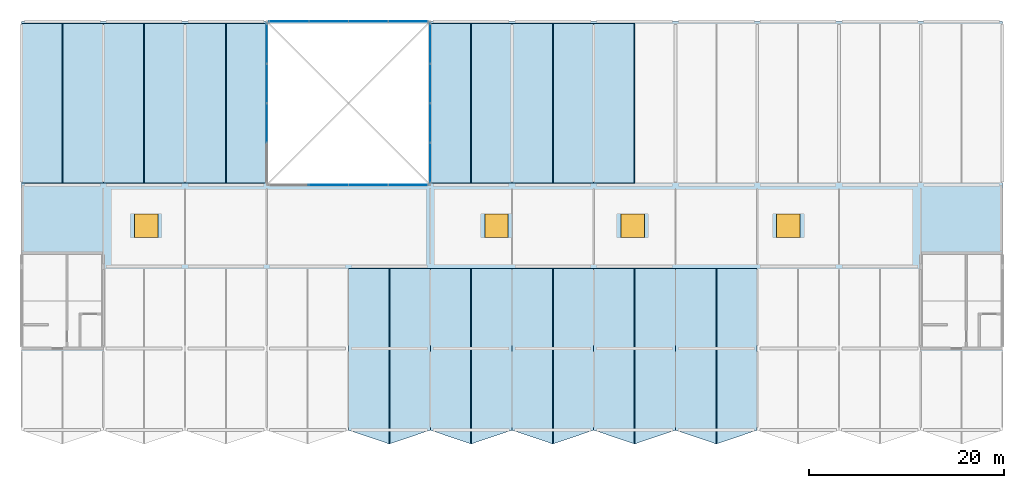
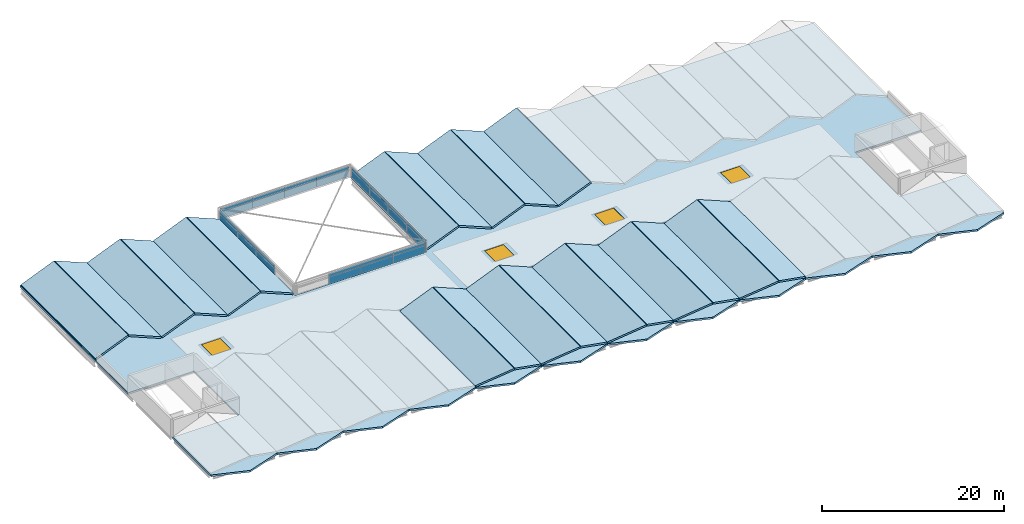
# One storey, part 10 of 14: 28 plates, 22 slabs, 4 windows, 4 openings, 4 elements without a shape of their own.
"""IFC4 building model written with IfcOpenShell, lengths in metres."""

from ifc_helpers import new_model, si_unit, direction, frame, frame_2d, origin, origin_2d, place, context, subcontext, project, spatial, polyline, rectangle, outline, extrude, material, layer, layer_set, type_object, element, fill, aggregate, save


model = new_model("IFC4")

# Units and contexts
model_context = context("Model", 3, precision=1e-05, world=origin(), true_north=direction((0.0, 1.0)))
body_context = subcontext(model_context, "Body", "Model", "MODEL_VIEW")
ifc_project = project(units=[si_unit("LENGTHUNIT", "METRE"), si_unit("AREAUNIT", "SQUARE_METRE"), si_unit("VOLUMEUNIT", "CUBIC_METRE"), si_unit("PLANEANGLEUNIT", "RADIAN"), si_unit("MASSUNIT", "GRAM", prefix="KILO")], contexts=[model_context])

# Site, building, storey
site_placement = place(None, origin())
site = spatial("IfcSite", under=ifc_project, at=site_placement, CompositionType="ELEMENT")
building_placement = place(site_placement, origin())
building = spatial("IfcBuilding", under=site, at=building_placement, Name="Qawsi Khor Wholesale Market", CompositionType="ELEMENT")
storey_placement = place(building_placement, frame((0.0, 0.0, 20.699951171875)))
storey = spatial("IfcBuildingStorey", under=building, at=storey_placement, Name="RF", CompositionType="ELEMENT", Elevation=20.699951171875)

# Slab, openings, windows
ifc_material_1 = material(Name="Concrete C40/50", Category="concrete")
ifc_layer_1 = layer(ifc_material_1, 0.239990234375, Name="Concrete C40/50")
ifc_layer_set_1 = layer_set([ifc_layer_1], Name="Concrete C40/50")
slab_type_1 = type_object("IfcSlabType", Name="Flat Concrete Roof Slab 240 C40/50", PredefinedType="ROOF", material=ifc_layer_set_1)
slab_1_placement = place(storey_placement, frame((0.0, 0.0, -0.239990234375)))
slab_1 = element("IfcSlab", 1, at=slab_1_placement, inside=storey, type_object=slab_type_1, Name="Main Upper Roof Slab RF", PredefinedType="ROOF", context=body_context, shape_type="SweptSolid", body=[
    extrude(outline(polyline([(25.199951171875, 8.39990234375), (33.60009765625, 8.39990234375), (33.60009765625, 18.199951171875), (25.199951171875, 18.199951171875), (25.199951171875, 42.0), (50.39990234375, 42.0), (50.39990234375, 25.199951171875), (67.199951171875, 25.199951171875), (67.199951171875, 42.0), (126.0, 42.0), (126.0, 18.199951171875), (117.60009765625, 18.199951171875), (117.60009765625, 8.39990234375), (126.0, 8.39990234375), (126.0, 0.0), (121.800048828125, -1.39990234375), (117.60009765625, 0.0), (113.39990234375, -1.39990234375), (109.199951171875, 0.0), (105.0, -1.39990234375), (100.800048828125, 0.0), (96.60009765625, -1.39990234375), (92.39990234375, 0.0), (88.199951171875, -1.39990234375), (84.0, 0.0), (79.800048828125, -1.39990234375), (75.60009765625, 0.0), (71.39990234375, -1.39990234375), (67.199951171875, 0.0), (63.0, -1.39990234375), (58.800048828125, 0.0), (54.60009765625, -1.39990234375), (50.39990234375, 0.0), (46.199951171875, -1.39990234375), (42.0, 0.0), (37.800048828125, -1.39990234375), (33.60009765625, 0.0), (29.39990234375, -1.39990234375), (25.199951171875, 0.0), (25.199951171875, 8.39990234375)])), origin(), (0.0, 0.0, 1.0), 0.239990234375),
])
opening_1_placement = place(slab_1_placement, frame((38.0, 21.0, -0.010009765625)))
opening_1 = element("IfcOpeningElement", 2, at=opening_1_placement, cuts=slab_1, Name="Opening SK-01", PredefinedType="OPENING", context=body_context, shape_type="SweptSolid", body=[
    extrude(rectangle(XDim=2.39990234375, YDim=2.39990234375, at=origin_2d()), origin(), (0.0, 0.0, 1.0), 0.260009765625),
])
opening_2_placement = place(slab_1_placement, frame((74.0, 21.0, -0.010009765625)))
opening_2 = element("IfcOpeningElement", 3, at=opening_2_placement, cuts=slab_1, Name="Opening SK-01", PredefinedType="OPENING", context=body_context, shape_type="SweptSolid", body=[
    extrude(rectangle(XDim=2.39990234375, YDim=2.39990234375, at=origin_2d()), origin(), (0.0, 0.0, 1.0), 0.260009765625),
])
opening_3_placement = place(slab_1_placement, frame((88.0, 21.0, -0.010009765625)))
opening_3 = element("IfcOpeningElement", 4, at=opening_3_placement, cuts=slab_1, Name="Opening SK-01", PredefinedType="OPENING", context=body_context, shape_type="SweptSolid", body=[
    extrude(rectangle(XDim=2.39990234375, YDim=2.39990234375, at=origin_2d()), origin(), (0.0, 0.0, 1.0), 0.260009765625),
])
opening_4_placement = place(slab_1_placement, frame((104.0, 21.0, -0.010009765625)))
opening_4 = element("IfcOpeningElement", 5, at=opening_4_placement, cuts=slab_1, Name="Opening SK-01", PredefinedType="OPENING", context=body_context, shape_type="SweptSolid", body=[
    extrude(rectangle(XDim=2.39990234375, YDim=2.39990234375, at=origin_2d()), origin(), (0.0, 0.0, 1.0), 0.260009765625),
])
ifc_material_2 = material(Name="Thermally Broken Aluminium & Low-E Glass", Category="aluminium")
window_type = type_object("IfcWindowType", Name="Skylight SK-01 Modular Hall Rooflight 2400x2400", PartitioningType="SINGLE_PANEL", PredefinedType="SKYLIGHT", material=ifc_material_2)
window_1_placement = place(opening_1_placement, frame((0.0, 0.0, 0.18994140625)))
window_1 = element("IfcWindow", 6, at=window_1_placement, inside=storey, type_object=window_type, Name="Roof skylight 07", OverallHeight=2.39990234375, OverallWidth=2.39990234375, PartitioningType="SINGLE_PANEL", PredefinedType="SKYLIGHT", context=body_context, shape_type="SweptSolid", body=[
    extrude(rectangle(XDim=2.39990234375, YDim=2.39990234375, at=origin_2d()), origin(), (0.0, 0.0, 1.0), 0.050048828125),
])
fill(opening_1, window_1)
window_2_placement = place(opening_2_placement, frame((0.0, 0.0, 0.18994140625)))
window_2 = element("IfcWindow", 7, at=window_2_placement, inside=storey, type_object=window_type, Name="Roof skylight 08", OverallHeight=2.39990234375, OverallWidth=2.39990234375, PartitioningType="SINGLE_PANEL", PredefinedType="SKYLIGHT", context=body_context, shape_type="SweptSolid", body=[
    extrude(rectangle(XDim=2.39990234375, YDim=2.39990234375, at=origin_2d()), origin(), (0.0, 0.0, 1.0), 0.050048828125),
])
fill(opening_2, window_2)
window_3_placement = place(opening_3_placement, frame((0.0, 0.0, 0.18994140625)))
window_3 = element("IfcWindow", 8, at=window_3_placement, inside=storey, type_object=window_type, Name="Roof skylight 09", OverallHeight=2.39990234375, OverallWidth=2.39990234375, PartitioningType="SINGLE_PANEL", PredefinedType="SKYLIGHT", context=body_context, shape_type="SweptSolid", body=[
    extrude(rectangle(XDim=2.39990234375, YDim=2.39990234375, at=origin_2d()), origin(), (0.0, 0.0, 1.0), 0.050048828125),
])
fill(opening_3, window_3)
window_4_placement = place(opening_4_placement, frame((0.0, 0.0, 0.18994140625)))
window_4 = element("IfcWindow", 9, at=window_4_placement, inside=storey, type_object=window_type, Name="Roof skylight 10", OverallHeight=2.39990234375, OverallWidth=2.39990234375, PartitioningType="SINGLE_PANEL", PredefinedType="SKYLIGHT", context=body_context, shape_type="SweptSolid", body=[
    extrude(rectangle(XDim=2.39990234375, YDim=2.39990234375, at=origin_2d()), origin(), (0.0, 0.0, 1.0), 0.050048828125),
])
fill(opening_4, window_4)

# Slabs
ifc_layer_2 = layer(ifc_material_1, 0.22998046875, Name="Concrete C40/50")
ifc_layer_set_2 = layer_set([ifc_layer_2], Name="Concrete C40/50")
slab_type_2 = type_object("IfcSlabType", Name="Folded Concrete Canopy Slab 230 C40/50", PredefinedType="ROOF", material=ifc_layer_set_2)
for number, where, z_axis, x_axis, name in (
    (10, (25.199951171875, 25.39990234375, 0.22998046875), (-0.382474865624, 0.0, 0.923965896105), (0.923965896105, 0.0, 0.382474865624), "Upper Crown Folded Concrete Vault North 3A"),
    (11, (29.445068359375, 25.39990234375, 1.949951171875), (0.382474865624, 0.0, 0.923965896105), (0.923965896105, 0.0, -0.382474865624), "Upper Crown Folded Concrete Vault North 3B"),
):
    element("IfcSlab", number, at=place(storey_placement, frame(where, z_axis=z_axis, x_axis=x_axis)), inside=storey, type_object=slab_type_2, Name=name, PredefinedType="ROOF", context=body_context, shape_type="SweptSolid", body=[
        extrude(outline(polyline([(0.0, 0.0), (4.496950931186359, 0.0), (4.496950931186359, 16.400146484375004), (0.0, 16.400146484375004), (0.0, 0.0)])), origin(), (0.0, 0.0, -1.0), 0.22998046875),
    ])
slab_2_placement = place(storey_placement, frame((33.60009765625, 25.39990234375, 0.22998046875), z_axis=(-0.382494052341, 0.0, 0.923957953547), x_axis=(0.923957953547, 0.0, 0.382494052341)))
element("IfcSlab", 12, at=slab_2_placement, inside=storey, type_object=slab_type_2, Name="Upper Crown Folded Concrete Vault North 4A", PredefinedType="ROOF", context=body_context, shape_type="SweptSolid", body=[
    extrude(outline(polyline([(0.0, 0.0), (4.496725354544532, 0.0), (4.496725354544532, 16.400146484375), (0.0, 16.400146484375), (0.0, 0.0)])), origin(), (0.0, 0.0, -1.0), 0.22998046875),
])
for number, where, z_axis, x_axis, name in (
    (13, (37.844970703125, 25.39990234375, 1.949951171875), (0.382474865624, 0.0, 0.923965896105), (0.923965896105, 0.0, -0.382474865624), "Upper Crown Folded Concrete Vault North 4B"),
    (14, (42.0, 25.39990234375, 0.22998046875), (-0.382474865624, 0.0, 0.923965896105), (0.923965896105, 0.0, 0.382474865624), "Upper Crown Folded Concrete Vault North 5A"),
):
    element("IfcSlab", number, at=place(storey_placement, frame(where, z_axis=z_axis, x_axis=x_axis)), inside=storey, type_object=slab_type_2, Name=name, PredefinedType="ROOF", context=body_context, shape_type="SweptSolid", body=[
        extrude(outline(polyline([(0.0, 0.0), (4.496950931186359, 0.0), (4.496950931186359, 16.400146484375004), (0.0, 16.400146484375004), (0.0, 0.0)])), origin(), (0.0, 0.0, -1.0), 0.22998046875),
    ])
slab_3_placement = place(storey_placement, frame((46.2451171875, 25.39990234375, 1.949951171875), z_axis=(0.382494052341, 0.0, 0.923957953547), x_axis=(0.923957953547, 0.0, -0.382494052341)))
element("IfcSlab", 15, at=slab_3_placement, inside=storey, type_object=slab_type_2, Name="Upper Crown Folded Concrete Vault North 5B", PredefinedType="ROOF", context=body_context, shape_type="SweptSolid", body=[
    extrude(outline(polyline([(0.0, 0.0), (4.496725354544532, 0.0), (4.496725354544532, 16.400146484375), (0.0, 16.400146484375), (0.0, 0.0)])), origin(), (0.0, 0.0, -1.0), 0.22998046875),
])
slab_4_placement = place(storey_placement, frame((58.800048828125, 0.0, 0.22998046875), z_axis=(-0.382474865624, 0.0, 0.923965896105), x_axis=(0.882207731123, -0.297231278586, 0.365189110157)))
element("IfcSlab", 16, at=slab_4_placement, inside=storey, type_object=slab_type_2, Name="Upper Crown Folded Concrete Vault South 7A", PredefinedType="ROOF", context=body_context, shape_type="SweptSolid", body=[
    extrude(outline(polyline([(0.0, 0.0), (4.70980830284361, 2.7755575615628914e-17), (-0.6403547117075807, 17.186499228107177), (-4.934068251022592, 15.849864753091353), (0.0, 0.0)])), origin(), (0.0, 0.0, -1.0), 0.22998046875),
])
slab_5_placement = place(storey_placement, frame((63.044921875, -1.39990234375, 1.949951171875), z_axis=(0.382474865624, 0.0, 0.923965896105), x_axis=(0.882207731123, 0.297231278586, -0.365189110157)))
element("IfcSlab", 17, at=slab_5_placement, inside=storey, type_object=slab_type_2, Name="Upper Crown Folded Concrete Vault South 7B", PredefinedType="ROOF", context=body_context, shape_type="SweptSolid", body=[
    extrude(outline(polyline([(0.0, 0.0), (4.70980830284361, -2.7755575615628914e-17), (9.643876553866201, 15.84986475309135), (5.350163014551191, 17.186499228107174), (0.0, 0.0)])), origin(), (0.0, 0.0, -1.0), 0.22998046875),
])
slab_6_placement = place(storey_placement, frame((67.199951171875, 0.0, 0.22998046875), z_axis=(-0.382474865624, 0.0, 0.923965896105), x_axis=(0.882207731123, -0.297231278586, 0.365189110157)))
element("IfcSlab", 18, at=slab_6_placement, inside=storey, type_object=slab_type_2, Name="Upper Crown Folded Concrete Vault South 8A", PredefinedType="ROOF", context=body_context, shape_type="SweptSolid", body=[
    extrude(outline(polyline([(0.0, 0.0), (4.70980830284361, 2.7755575615628914e-17), (-0.6403547117075807, 17.186499228107177), (-4.934068251022592, 15.849864753091353), (0.0, 0.0)])), origin(), (0.0, 0.0, -1.0), 0.22998046875),
])
slab_7_placement = place(storey_placement, frame((71.445068359375, -1.39990234375, 1.949951171875), z_axis=(0.382474865624, 0.0, 0.923965896105), x_axis=(0.882207731123, 0.297231278586, -0.365189110157)))
element("IfcSlab", 19, at=slab_7_placement, inside=storey, type_object=slab_type_2, Name="Upper Crown Folded Concrete Vault South 8B", PredefinedType="ROOF", context=body_context, shape_type="SweptSolid", body=[
    extrude(outline(polyline([(0.0, 0.0), (4.70980830284361, -2.7755575615628914e-17), (9.643876553866201, 15.84986475309135), (5.350163014551191, 17.186499228107174), (0.0, 0.0)])), origin(), (0.0, 0.0, -1.0), 0.22998046875),
])
for number, where, z_axis, x_axis, name in (
    (20, (67.199951171875, 25.39990234375, 0.22998046875), (-0.382474865624, 0.0, 0.923965896105), (0.923965896105, 0.0, 0.382474865624), "Upper Crown Folded Concrete Vault North 8A"),
    (21, (71.445068359375, 25.39990234375, 1.949951171875), (0.382474865624, 0.0, 0.923965896105), (0.923965896105, 0.0, -0.382474865624), "Upper Crown Folded Concrete Vault North 8B"),
):
    element("IfcSlab", number, at=place(storey_placement, frame(where, z_axis=z_axis, x_axis=x_axis)), inside=storey, type_object=slab_type_2, Name=name, PredefinedType="ROOF", context=body_context, shape_type="SweptSolid", body=[
        extrude(outline(polyline([(0.0, 0.0), (4.496950931186359, 0.0), (4.496950931186359, 16.400146484375004), (0.0, 16.400146484375004), (0.0, 0.0)])), origin(), (0.0, 0.0, -1.0), 0.22998046875),
    ])
slab_8_placement = place(storey_placement, frame((75.60009765625, 0.0, 0.22998046875), z_axis=(-0.382494052341, 0.0, 0.923957953547), x_axis=(0.882196237658, -0.297244871708, 0.365205811159)))
element("IfcSlab", 22, at=slab_8_placement, inside=storey, type_object=slab_type_2, Name="Upper Crown Folded Concrete Vault South 9A", PredefinedType="ROOF", context=body_context, shape_type="SweptSolid", body=[
    extrude(outline(polyline([(0.0, 0.0), (4.709592921499734, 5.551115123125783e-17), (-0.6408147692515563, 17.186423058412984), (-4.934293898179026, 15.849794507293463), (0.0, 0.0)])), origin(), (0.0, 0.0, -1.0), 0.22998046875),
])
slab_9_placement = place(storey_placement, frame((79.844970703125, -1.39990234375, 1.949951171875), z_axis=(0.382474865624, 0.0, 0.923965896105), x_axis=(0.882207731123, 0.297231278586, -0.365189110157)))
element("IfcSlab", 23, at=slab_9_placement, inside=storey, type_object=slab_type_2, Name="Upper Crown Folded Concrete Vault South 9B", PredefinedType="ROOF", context=body_context, shape_type="SweptSolid", body=[
    extrude(outline(polyline([(0.0, 0.0), (4.70980830284361, -2.7755575615628914e-17), (9.643876553866201, 15.84986475309135), (5.350163014551191, 17.186499228107174), (0.0, 0.0)])), origin(), (0.0, 0.0, -1.0), 0.22998046875),
])
slab_10_placement = place(storey_placement, frame((75.60009765625, 25.39990234375, 0.22998046875), z_axis=(-0.382494052341, 0.0, 0.923957953547), x_axis=(0.923957953547, 0.0, 0.382494052341)))
element("IfcSlab", 24, at=slab_10_placement, inside=storey, type_object=slab_type_2, Name="Upper Crown Folded Concrete Vault North 9A", PredefinedType="ROOF", context=body_context, shape_type="SweptSolid", body=[
    extrude(outline(polyline([(0.0, 0.0), (4.496725354544532, 0.0), (4.496725354544532, 16.400146484375), (0.0, 16.400146484375), (0.0, 0.0)])), origin(), (0.0, 0.0, -1.0), 0.22998046875),
])
slab_11_placement = place(storey_placement, frame((79.844970703125, 25.39990234375, 1.949951171875), z_axis=(0.382474865624, 0.0, 0.923965896105), x_axis=(0.923965896105, 0.0, -0.382474865624)))
element("IfcSlab", 25, at=slab_11_placement, inside=storey, type_object=slab_type_2, Name="Upper Crown Folded Concrete Vault North 9B", PredefinedType="ROOF", context=body_context, shape_type="SweptSolid", body=[
    extrude(outline(polyline([(0.0, 0.0), (4.496950931186359, 0.0), (4.496950931186359, 16.400146484375004), (0.0, 16.400146484375004), (0.0, 0.0)])), origin(), (0.0, 0.0, -1.0), 0.22998046875),
])
slab_12_placement = place(storey_placement, frame((84.0, 0.0, 0.22998046875), z_axis=(-0.382474865624, 0.0, 0.923965896105), x_axis=(0.882207731123, -0.297231278586, 0.365189110157)))
element("IfcSlab", 26, at=slab_12_placement, inside=storey, type_object=slab_type_2, Name="Upper Crown Folded Concrete Vault South 10A", PredefinedType="ROOF", context=body_context, shape_type="SweptSolid", body=[
    extrude(outline(polyline([(0.0, 0.0), (4.70980830284361, 2.7755575615628914e-17), (-0.6403547117075807, 17.186499228107177), (-4.934068251022592, 15.849864753091353), (0.0, 0.0)])), origin(), (0.0, 0.0, -1.0), 0.22998046875),
])
slab_13_placement = place(storey_placement, frame((88.2451171875, -1.39990234375, 1.949951171875), z_axis=(0.382494052341, 0.0, 0.923957953547), x_axis=(0.882196237658, 0.297244871708, -0.365205811159)))
element("IfcSlab", 27, at=slab_13_placement, inside=storey, type_object=slab_type_2, Name="Upper Crown Folded Concrete Vault South 10B", PredefinedType="ROOF", context=body_context, shape_type="SweptSolid", body=[
    extrude(outline(polyline([(0.0, 0.0), (4.709592921499734, -5.551115123125783e-17), (9.643886819678759, 15.849794507293465), (5.35040769075129, 17.186423058412984), (0.0, 0.0)])), origin(), (0.0, 0.0, -1.0), 0.22998046875),
])
slab_14_placement = place(storey_placement, frame((84.0, 25.39990234375, 0.22998046875), z_axis=(-0.382474865624, 0.0, 0.923965896105), x_axis=(0.923965896105, 0.0, 0.382474865624)))
element("IfcSlab", 28, at=slab_14_placement, inside=storey, type_object=slab_type_2, Name="Upper Crown Folded Concrete Vault North 10A", PredefinedType="ROOF", context=body_context, shape_type="SweptSolid", body=[
    extrude(outline(polyline([(0.0, 0.0), (4.496950931186359, 0.0), (4.496950931186359, 16.400146484375004), (0.0, 16.400146484375004), (0.0, 0.0)])), origin(), (0.0, 0.0, -1.0), 0.22998046875),
])
slab_15_placement = place(storey_placement, frame((92.39990234375, 0.0, 0.22998046875), z_axis=(-0.382474865624, 0.0, 0.923965896105), x_axis=(0.882207731123, -0.297231278586, 0.365189110157)))
element("IfcSlab", 29, at=slab_15_placement, inside=storey, type_object=slab_type_2, Name="Upper Crown Folded Concrete Vault South 11A", PredefinedType="ROOF", context=body_context, shape_type="SweptSolid", body=[
    extrude(outline(polyline([(0.0, 0.0), (4.70980830284361, 2.7755575615628914e-17), (-0.6403547117075807, 17.186499228107177), (-4.934068251022592, 15.849864753091353), (0.0, 0.0)])), origin(), (0.0, 0.0, -1.0), 0.22998046875),
])
slab_16_placement = place(storey_placement, frame((96.64501953125, -1.39990234375, 1.949951171875), z_axis=(0.382474865624, 0.0, 0.923965896105), x_axis=(0.882207731123, 0.297231278586, -0.365189110157)))
element("IfcSlab", 30, at=slab_16_placement, inside=storey, type_object=slab_type_2, Name="Upper Crown Folded Concrete Vault South 11B", PredefinedType="ROOF", context=body_context, shape_type="SweptSolid", body=[
    extrude(outline(polyline([(0.0, 0.0), (4.70980830284361, -2.7755575615628914e-17), (9.643876553866201, 15.84986475309135), (5.350163014551191, 17.186499228107174), (0.0, 0.0)])), origin(), (0.0, 0.0, -1.0), 0.22998046875),
])

# Curtain wall, plates
ifc_material_3 = material(Name="Aluminium Anodised Bronze", Category="aluminium")
ifc_layer_3 = layer(ifc_material_3, 0.179931640625, Name="Aluminium Anodised Bronze")
ifc_layer_set_3 = layer_set([ifc_layer_3], Name="Aluminium Anodised Bronze")
curtain_wall_type = type_object("IfcCurtainWallType", Name="Atrium Full-Height Curtain Wall CW-02", PredefinedType="NOTDEFINED", material=ifc_layer_set_3)
curtain_wall_1_placement = place(storey_placement, origin())
curtain_wall_1 = element("IfcCurtainWall", 31, at=curtain_wall_1_placement, inside=storey, type_object=curtain_wall_type, Name="Curtain wall CW-CW-02-RF-046", PredefinedType="NOTDEFINED")
ifc_material_4 = material(Name="Tempered Low-E Solar Glass", Category="glass")
ifc_layer_4 = layer(ifc_material_4, 0.031982421875, Name="Tempered Low-E Solar Glass")
ifc_layer_set_4 = layer_set([ifc_layer_4], Name="Tempered Low-E Solar Glass")
plate_type = type_object("IfcPlateType", Name="Solar Double-Glazed Unit CW-02 32mm", PredefinedType="CURTAIN_PANEL", material=ifc_layer_set_4)
plate_1_placement = place(storey_placement, frame((54.72509765625, 25.199951171875, 0.005126953125), z_axis=(0.0, 0.0, 1.0), x_axis=(1.0, 0.0, 0.0)))
plate_1 = element("IfcPlate", 32, at=plate_1_placement, type_object=plate_type, Name="Curtain panel CW-CW-02-RF-046-P0_01", PredefinedType="CURTAIN_PANEL", context=body_context, shape_type="SweptSolid", body=[
    extrude(rectangle(XDim=4.074951171875, YDim=0.031982421875, at=frame_2d((2.03759765625, 0.0))), origin(), (0.0, 0.0, 1.0), 0.989990234375),
])
plate_2_placement = place(storey_placement, frame((58.800048828125, 25.199951171875, 0.005126953125), z_axis=(0.0, 0.0, 1.0), x_axis=(1.0, 0.0, 0.0)))
plate_2 = element("IfcPlate", 33, at=plate_2_placement, type_object=plate_type, Name="Curtain panel CW-CW-02-RF-046-P0_02", PredefinedType="CURTAIN_PANEL", context=body_context, shape_type="SweptSolid", body=[
    extrude(rectangle(XDim=4.074951171875, YDim=0.031982421875, at=frame_2d((2.03759765625, 0.0))), origin(), (0.0, 0.0, 1.0), 0.989990234375),
])
plate_3_placement = place(storey_placement, frame((62.875, 25.199951171875, 0.005126953125), z_axis=(0.0, 0.0, 1.0), x_axis=(1.0, 0.0, 0.0)))
plate_3 = element("IfcPlate", 34, at=plate_3_placement, type_object=plate_type, Name="Curtain panel CW-CW-02-RF-046-P0_03", PredefinedType="CURTAIN_PANEL", context=body_context, shape_type="SweptSolid", body=[
    extrude(rectangle(XDim=4.074951171875, YDim=0.031982421875, at=frame_2d((2.03759765625, 0.0))), origin(), (0.0, 0.0, 1.0), 0.989990234375),
])
plate_4_placement = place(storey_placement, frame((54.72509765625, 25.199951171875, 1.005126953125), z_axis=(0.0, 0.0, 1.0), x_axis=(1.0, 0.0, 0.0)))
plate_4 = element("IfcPlate", 35, at=plate_4_placement, type_object=plate_type, Name="Curtain panel CW-CW-02-RF-046-P1_01", PredefinedType="CURTAIN_PANEL", context=body_context, shape_type="SweptSolid", body=[
    extrude(rectangle(XDim=4.074951171875, YDim=0.031982421875, at=frame_2d((2.03759765625, 0.0))), origin(), (0.0, 0.0, 1.0), 0.43994140625),
])
plate_5_placement = place(storey_placement, frame((58.800048828125, 25.199951171875, 1.005126953125), z_axis=(0.0, 0.0, 1.0), x_axis=(1.0, 0.0, 0.0)))
plate_5 = element("IfcPlate", 36, at=plate_5_placement, type_object=plate_type, Name="Curtain panel CW-CW-02-RF-046-P1_02", PredefinedType="CURTAIN_PANEL", context=body_context, shape_type="SweptSolid", body=[
    extrude(rectangle(XDim=4.074951171875, YDim=0.031982421875, at=frame_2d((2.03759765625, 0.0))), origin(), (0.0, 0.0, 1.0), 0.43994140625),
])
plate_6_placement = place(storey_placement, frame((62.875, 25.199951171875, 1.005126953125), z_axis=(0.0, 0.0, 1.0), x_axis=(1.0, 0.0, 0.0)))
plate_6 = element("IfcPlate", 37, at=plate_6_placement, type_object=plate_type, Name="Curtain panel CW-CW-02-RF-046-P1_03", PredefinedType="CURTAIN_PANEL", context=body_context, shape_type="SweptSolid", body=[
    extrude(rectangle(XDim=4.074951171875, YDim=0.031982421875, at=frame_2d((2.03759765625, 0.0))), origin(), (0.0, 0.0, 1.0), 0.43994140625),
])
aggregate(curtain_wall_1, [plate_1, plate_2, plate_3, plate_4, plate_5, plate_6])

curtain_wall_2_placement = place(storey_placement, origin())
curtain_wall_2 = element("IfcCurtainWall", 38, at=curtain_wall_2_placement, inside=storey, type_object=curtain_wall_type, Name="Curtain wall CW-CW-02-RF-047", PredefinedType="NOTDEFINED")
plate_7_placement = place(storey_placement, frame((50.64990234375, 42.0, 0.005126953125), z_axis=(0.0, 0.0, 1.0), x_axis=(1.0, 0.0, 0.0)))
plate_7 = element("IfcPlate", 39, at=plate_7_placement, type_object=plate_type, Name="Curtain panel CW-CW-02-RF-047-P0_00", PredefinedType="CURTAIN_PANEL", context=body_context, shape_type="SweptSolid", body=[
    extrude(rectangle(XDim=4.0751953125, YDim=0.031982421875, at=frame_2d((2.03759765625, 0.0))), origin(), (0.0, 0.0, 1.0), 0.989990234375),
])
plate_8_placement = place(storey_placement, frame((54.72509765625, 42.0, 0.005126953125), z_axis=(0.0, 0.0, 1.0), x_axis=(1.0, 0.0, 0.0)))
plate_8 = element("IfcPlate", 40, at=plate_8_placement, type_object=plate_type, Name="Curtain panel CW-CW-02-RF-047-P0_01", PredefinedType="CURTAIN_PANEL", context=body_context, shape_type="SweptSolid", body=[
    extrude(rectangle(XDim=4.074951171875, YDim=0.031982421875, at=frame_2d((2.03759765625, 0.0))), origin(), (0.0, 0.0, 1.0), 0.989990234375),
])
plate_9_placement = place(storey_placement, frame((58.800048828125, 42.0, 0.005126953125), z_axis=(0.0, 0.0, 1.0), x_axis=(1.0, 0.0, 0.0)))
plate_9 = element("IfcPlate", 41, at=plate_9_placement, type_object=plate_type, Name="Curtain panel CW-CW-02-RF-047-P0_02", PredefinedType="CURTAIN_PANEL", context=body_context, shape_type="SweptSolid", body=[
    extrude(rectangle(XDim=4.074951171875, YDim=0.031982421875, at=frame_2d((2.03759765625, 0.0))), origin(), (0.0, 0.0, 1.0), 0.989990234375),
])
plate_10_placement = place(storey_placement, frame((62.875, 42.0, 0.005126953125), z_axis=(0.0, 0.0, 1.0), x_axis=(1.0, 0.0, 0.0)))
plate_10 = element("IfcPlate", 42, at=plate_10_placement, type_object=plate_type, Name="Curtain panel CW-CW-02-RF-047-P0_03", PredefinedType="CURTAIN_PANEL", context=body_context, shape_type="SweptSolid", body=[
    extrude(rectangle(XDim=4.074951171875, YDim=0.031982421875, at=frame_2d((2.03759765625, 0.0))), origin(), (0.0, 0.0, 1.0), 0.989990234375),
])
plate_11_placement = place(storey_placement, frame((50.64990234375, 42.0, 1.005126953125), z_axis=(0.0, 0.0, 1.0), x_axis=(1.0, 0.0, 0.0)))
plate_11 = element("IfcPlate", 43, at=plate_11_placement, type_object=plate_type, Name="Curtain panel CW-CW-02-RF-047-P1_00", PredefinedType="CURTAIN_PANEL", context=body_context, shape_type="SweptSolid", body=[
    extrude(rectangle(XDim=4.0751953125, YDim=0.031982421875, at=frame_2d((2.03759765625, 0.0))), origin(), (0.0, 0.0, 1.0), 0.43994140625),
])
plate_12_placement = place(storey_placement, frame((54.72509765625, 42.0, 1.005126953125), z_axis=(0.0, 0.0, 1.0), x_axis=(1.0, 0.0, 0.0)))
plate_12 = element("IfcPlate", 44, at=plate_12_placement, type_object=plate_type, Name="Curtain panel CW-CW-02-RF-047-P1_01", PredefinedType="CURTAIN_PANEL", context=body_context, shape_type="SweptSolid", body=[
    extrude(rectangle(XDim=4.074951171875, YDim=0.031982421875, at=frame_2d((2.03759765625, 0.0))), origin(), (0.0, 0.0, 1.0), 0.43994140625),
])
plate_13_placement = place(storey_placement, frame((58.800048828125, 42.0, 1.005126953125), z_axis=(0.0, 0.0, 1.0), x_axis=(1.0, 0.0, 0.0)))
plate_13 = element("IfcPlate", 45, at=plate_13_placement, type_object=plate_type, Name="Curtain panel CW-CW-02-RF-047-P1_02", PredefinedType="CURTAIN_PANEL", context=body_context, shape_type="SweptSolid", body=[
    extrude(rectangle(XDim=4.074951171875, YDim=0.031982421875, at=frame_2d((2.03759765625, 0.0))), origin(), (0.0, 0.0, 1.0), 0.43994140625),
])
plate_14_placement = place(storey_placement, frame((62.875, 42.0, 1.005126953125), z_axis=(0.0, 0.0, 1.0), x_axis=(1.0, 0.0, 0.0)))
plate_14 = element("IfcPlate", 46, at=plate_14_placement, type_object=plate_type, Name="Curtain panel CW-CW-02-RF-047-P1_03", PredefinedType="CURTAIN_PANEL", context=body_context, shape_type="SweptSolid", body=[
    extrude(rectangle(XDim=4.074951171875, YDim=0.031982421875, at=frame_2d((2.03759765625, 0.0))), origin(), (0.0, 0.0, 1.0), 0.43994140625),
])
aggregate(curtain_wall_2, [plate_7, plate_8, plate_9, plate_10, plate_11, plate_12, plate_13, plate_14])

curtain_wall_3_placement = place(storey_placement, origin())
curtain_wall_3 = element("IfcCurtainWall", 47, at=curtain_wall_3_placement, inside=storey, type_object=curtain_wall_type, Name="Curtain wall CW-CW-02-RF-048", PredefinedType="NOTDEFINED")
plate_15_placement = place(storey_placement, frame((50.39990234375, 29.52490234375, 0.005126953125), z_axis=(0.0, 0.0, 1.0), x_axis=(0.0, 1.0, 0.0)))
plate_15 = element("IfcPlate", 48, at=plate_15_placement, type_object=plate_type, Name="Curtain panel CW-CW-02-RF-048-P0_01", PredefinedType="CURTAIN_PANEL", context=body_context, shape_type="SweptSolid", body=[
    extrude(rectangle(XDim=4.0751953125, YDim=0.031982421875, at=frame_2d((2.03759765625, 0.0))), origin(), (0.0, 0.0, 1.0), 0.989990234375),
])
plate_16_placement = place(storey_placement, frame((50.39990234375, 33.60009765625, 0.005126953125), z_axis=(0.0, 0.0, 1.0), x_axis=(0.0, 1.0, 0.0)))
plate_16 = element("IfcPlate", 49, at=plate_16_placement, type_object=plate_type, Name="Curtain panel CW-CW-02-RF-048-P0_02", PredefinedType="CURTAIN_PANEL", context=body_context, shape_type="SweptSolid", body=[
    extrude(rectangle(XDim=4.074951171875, YDim=0.031982421875, at=frame_2d((2.03759765625, 0.0))), origin(), (0.0, 0.0, 1.0), 0.989990234375),
])
plate_17_placement = place(storey_placement, frame((50.39990234375, 37.675048828125, 0.005126953125), z_axis=(0.0, 0.0, 1.0), x_axis=(0.0, 1.0, 0.0)))
plate_17 = element("IfcPlate", 50, at=plate_17_placement, type_object=plate_type, Name="Curtain panel CW-CW-02-RF-048-P0_03", PredefinedType="CURTAIN_PANEL", context=body_context, shape_type="SweptSolid", body=[
    extrude(rectangle(XDim=4.074951171875, YDim=0.031982421875, at=frame_2d((2.03759765625, 0.0))), origin(), (0.0, 0.0, 1.0), 0.989990234375),
])
plate_18_placement = place(storey_placement, frame((50.39990234375, 29.52490234375, 1.005126953125), z_axis=(0.0, 0.0, 1.0), x_axis=(0.0, 1.0, 0.0)))
plate_18 = element("IfcPlate", 51, at=plate_18_placement, type_object=plate_type, Name="Curtain panel CW-CW-02-RF-048-P1_01", PredefinedType="CURTAIN_PANEL", context=body_context, shape_type="SweptSolid", body=[
    extrude(rectangle(XDim=4.0751953125, YDim=0.031982421875, at=frame_2d((2.03759765625, 0.0))), origin(), (0.0, 0.0, 1.0), 0.43994140625),
])
plate_19_placement = place(storey_placement, frame((50.39990234375, 33.60009765625, 1.005126953125), z_axis=(0.0, 0.0, 1.0), x_axis=(0.0, 1.0, 0.0)))
plate_19 = element("IfcPlate", 52, at=plate_19_placement, type_object=plate_type, Name="Curtain panel CW-CW-02-RF-048-P1_02", PredefinedType="CURTAIN_PANEL", context=body_context, shape_type="SweptSolid", body=[
    extrude(rectangle(XDim=4.074951171875, YDim=0.031982421875, at=frame_2d((2.03759765625, 0.0))), origin(), (0.0, 0.0, 1.0), 0.43994140625),
])
plate_20_placement = place(storey_placement, frame((50.39990234375, 37.675048828125, 1.005126953125), z_axis=(0.0, 0.0, 1.0), x_axis=(0.0, 1.0, 0.0)))
plate_20 = element("IfcPlate", 53, at=plate_20_placement, type_object=plate_type, Name="Curtain panel CW-CW-02-RF-048-P1_03", PredefinedType="CURTAIN_PANEL", context=body_context, shape_type="SweptSolid", body=[
    extrude(rectangle(XDim=4.074951171875, YDim=0.031982421875, at=frame_2d((2.03759765625, 0.0))), origin(), (0.0, 0.0, 1.0), 0.43994140625),
])
aggregate(curtain_wall_3, [plate_15, plate_16, plate_17, plate_18, plate_19, plate_20])

curtain_wall_4_placement = place(storey_placement, origin())
curtain_wall_4 = element("IfcCurtainWall", 54, at=curtain_wall_4_placement, inside=storey, type_object=curtain_wall_type, Name="Curtain wall CW-CW-02-RF-049", PredefinedType="NOTDEFINED")
plate_21_placement = place(storey_placement, frame((67.199951171875, 25.449951171875, 0.005126953125), z_axis=(0.0, 0.0, 1.0), x_axis=(0.0, 1.0, 0.0)))
plate_21 = element("IfcPlate", 55, at=plate_21_placement, type_object=plate_type, Name="Curtain panel CW-CW-02-RF-049-P0_00", PredefinedType="CURTAIN_PANEL", context=body_context, shape_type="SweptSolid", body=[
    extrude(rectangle(XDim=4.074951171875, YDim=0.031982421875, at=frame_2d((2.03759765625, 0.0))), origin(), (0.0, 0.0, 1.0), 0.989990234375),
])
plate_22_placement = place(storey_placement, frame((67.199951171875, 29.52490234375, 0.005126953125), z_axis=(0.0, 0.0, 1.0), x_axis=(0.0, 1.0, 0.0)))
plate_22 = element("IfcPlate", 56, at=plate_22_placement, type_object=plate_type, Name="Curtain panel CW-CW-02-RF-049-P0_01", PredefinedType="CURTAIN_PANEL", context=body_context, shape_type="SweptSolid", body=[
    extrude(rectangle(XDim=4.0751953125, YDim=0.031982421875, at=frame_2d((2.03759765625, 0.0))), origin(), (0.0, 0.0, 1.0), 0.989990234375),
])
plate_23_placement = place(storey_placement, frame((67.199951171875, 33.60009765625, 0.005126953125), z_axis=(0.0, 0.0, 1.0), x_axis=(0.0, 1.0, 0.0)))
plate_23 = element("IfcPlate", 57, at=plate_23_placement, type_object=plate_type, Name="Curtain panel CW-CW-02-RF-049-P0_02", PredefinedType="CURTAIN_PANEL", context=body_context, shape_type="SweptSolid", body=[
    extrude(rectangle(XDim=4.074951171875, YDim=0.031982421875, at=frame_2d((2.03759765625, 0.0))), origin(), (0.0, 0.0, 1.0), 0.989990234375),
])
plate_24_placement = place(storey_placement, frame((67.199951171875, 37.675048828125, 0.005126953125), z_axis=(0.0, 0.0, 1.0), x_axis=(0.0, 1.0, 0.0)))
plate_24 = element("IfcPlate", 58, at=plate_24_placement, type_object=plate_type, Name="Curtain panel CW-CW-02-RF-049-P0_03", PredefinedType="CURTAIN_PANEL", context=body_context, shape_type="SweptSolid", body=[
    extrude(rectangle(XDim=4.074951171875, YDim=0.031982421875, at=frame_2d((2.03759765625, 0.0))), origin(), (0.0, 0.0, 1.0), 0.989990234375),
])
plate_25_placement = place(storey_placement, frame((67.199951171875, 25.449951171875, 1.005126953125), z_axis=(0.0, 0.0, 1.0), x_axis=(0.0, 1.0, 0.0)))
plate_25 = element("IfcPlate", 59, at=plate_25_placement, type_object=plate_type, Name="Curtain panel CW-CW-02-RF-049-P1_00", PredefinedType="CURTAIN_PANEL", context=body_context, shape_type="SweptSolid", body=[
    extrude(rectangle(XDim=4.074951171875, YDim=0.031982421875, at=frame_2d((2.03759765625, 0.0))), origin(), (0.0, 0.0, 1.0), 0.43994140625),
])
plate_26_placement = place(storey_placement, frame((67.199951171875, 29.52490234375, 1.005126953125), z_axis=(0.0, 0.0, 1.0), x_axis=(0.0, 1.0, 0.0)))
plate_26 = element("IfcPlate", 60, at=plate_26_placement, type_object=plate_type, Name="Curtain panel CW-CW-02-RF-049-P1_01", PredefinedType="CURTAIN_PANEL", context=body_context, shape_type="SweptSolid", body=[
    extrude(rectangle(XDim=4.0751953125, YDim=0.031982421875, at=frame_2d((2.03759765625, 0.0))), origin(), (0.0, 0.0, 1.0), 0.43994140625),
])
plate_27_placement = place(storey_placement, frame((67.199951171875, 33.60009765625, 1.005126953125), z_axis=(0.0, 0.0, 1.0), x_axis=(0.0, 1.0, 0.0)))
plate_27 = element("IfcPlate", 61, at=plate_27_placement, type_object=plate_type, Name="Curtain panel CW-CW-02-RF-049-P1_02", PredefinedType="CURTAIN_PANEL", context=body_context, shape_type="SweptSolid", body=[
    extrude(rectangle(XDim=4.074951171875, YDim=0.031982421875, at=frame_2d((2.03759765625, 0.0))), origin(), (0.0, 0.0, 1.0), 0.43994140625),
])
plate_28_placement = place(storey_placement, frame((67.199951171875, 37.675048828125, 1.005126953125), z_axis=(0.0, 0.0, 1.0), x_axis=(0.0, 1.0, 0.0)))
plate_28 = element("IfcPlate", 62, at=plate_28_placement, type_object=plate_type, Name="Curtain panel CW-CW-02-RF-049-P1_03", PredefinedType="CURTAIN_PANEL", context=body_context, shape_type="SweptSolid", body=[
    extrude(rectangle(XDim=4.074951171875, YDim=0.031982421875, at=frame_2d((2.03759765625, 0.0))), origin(), (0.0, 0.0, 1.0), 0.43994140625),
])
aggregate(curtain_wall_4, [plate_21, plate_22, plate_23, plate_24, plate_25, plate_26, plate_27, plate_28])

save(model, "model.ifc")
